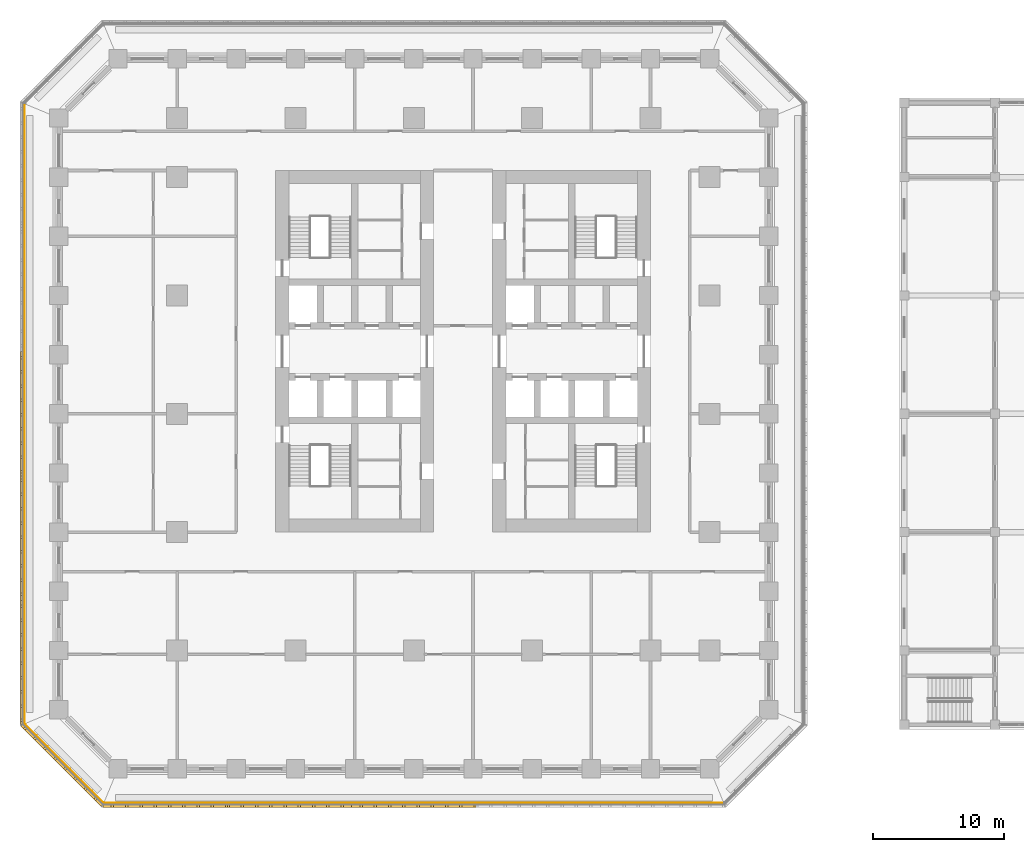
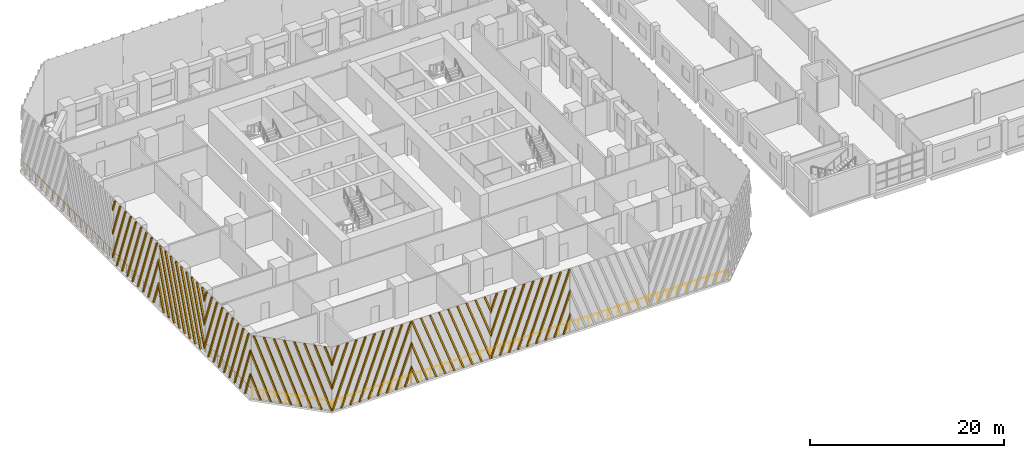
# One storey, part 21 of 31: 7 shading devices, 3 railings.
"""IFC4 building model written with IfcOpenShell, lengths in metres."""

from ifc_helpers import new_model, si_unit, direction, frame, origin, origin_2d, place, context, subcontext, project, spatial, polyline, circle, outline, extrude, source, transform, mapped, material, type_object, element, save


model = new_model("IFC4")

# Units and contexts
model_context = context("Model", 3, precision=1e-05, world=origin(), true_north=direction((0.0, 1.0)))
body_context = subcontext(model_context, "Body", "Model", "MODEL_VIEW")
ifc_project = project(units=[si_unit("LENGTHUNIT", "METRE"), si_unit("AREAUNIT", "SQUARE_METRE"), si_unit("VOLUMEUNIT", "CUBIC_METRE"), si_unit("PLANEANGLEUNIT", "RADIAN"), si_unit("MASSUNIT", "GRAM", prefix="KILO")], contexts=[model_context])

# Site, building, storey
site_placement = place(None, origin())
site = spatial("IfcSite", under=ifc_project, at=site_placement, CompositionType="ELEMENT")
building_placement = place(site_placement, origin())
building = spatial("IfcBuilding", under=site, at=building_placement, Name="Corbel Stack Research Tower", CompositionType="ELEMENT")
storey_placement = place(building_placement, frame((0.0, 0.0, 15.39990234375)))
storey = spatial("IfcBuildingStorey", under=building, at=storey_placement, Name="L03", CompositionType="ELEMENT", Elevation=15.39990234375)

# Railings
ifc_material_1 = material(Name="Powder-coated steel guard", Category="steel")
railing_type = type_object("IfcRailingType", Name="Steel and glass guard 1100", PredefinedType="GUARDRAIL", material=ifc_material_1)
railing_1_placement = place(storey_placement, frame((-23.50537109375, -29.60009765625, 0.0)))
element("IfcRailing", 1, at=railing_1_placement, inside=storey, type_object=railing_type, Name="Loggia guard L03 S", PredefinedType="GUARDRAIL", context=body_context, shape_type="SweptSolid", body=[
    extrude(circle(Radius=0.02392578125, at=origin_2d()), frame((0.0, 0.0, 1.076171875), z_axis=(1.0, 0.0, 0.0), x_axis=(0.0, 1.0, 0.0)), (0.0, 0.0, 1.0), 47.0107421875),
    extrude(circle(Radius=0.02099609375, at=origin_2d()), origin(), (0.0, 0.0, 1.0), 1.052001953125),
    extrude(circle(Radius=0.02099609375, at=origin_2d()), frame((1.17529296875, 0.0, 0.0)), (0.0, 0.0, 1.0), 1.052001953125),
    extrude(circle(Radius=0.02099609375, at=origin_2d()), frame((2.3505859375, 0.0, 0.0)), (0.0, 0.0, 1.0), 1.052001953125),
    extrude(circle(Radius=0.02099609375, at=origin_2d()), frame((3.52587890625, 0.0, 0.0)), (0.0, 0.0, 1.0), 1.052001953125),
    extrude(circle(Radius=0.02099609375, at=origin_2d()), frame((4.701171875, 0.0, 0.0)), (0.0, 0.0, 1.0), 1.052001953125),
    extrude(circle(Radius=0.02099609375, at=origin_2d()), frame((5.87646484375, 0.0, 0.0)), (0.0, 0.0, 1.0), 1.052001953125),
    extrude(circle(Radius=0.02099609375, at=origin_2d()), frame((7.051513671875, 0.0, 0.0)), (0.0, 0.0, 1.0), 1.052001953125),
    extrude(circle(Radius=0.02099609375, at=origin_2d()), frame((8.226806640625, 0.0, 0.0)), (0.0, 0.0, 1.0), 1.052001953125),
    extrude(circle(Radius=0.02099609375, at=origin_2d()), frame((9.402099609375, 0.0, 0.0)), (0.0, 0.0, 1.0), 1.052001953125),
    extrude(circle(Radius=0.02099609375, at=origin_2d()), frame((10.577392578125, 0.0, 0.0)), (0.0, 0.0, 1.0), 1.052001953125),
    extrude(circle(Radius=0.02099609375, at=origin_2d()), frame((11.752685546875, 0.0, 0.0)), (0.0, 0.0, 1.0), 1.052001953125),
    extrude(circle(Radius=0.02099609375, at=origin_2d()), frame((12.927978515625, 0.0, 0.0)), (0.0, 0.0, 1.0), 1.052001953125),
    extrude(circle(Radius=0.02099609375, at=origin_2d()), frame((14.103271484375, 0.0, 0.0)), (0.0, 0.0, 1.0), 1.052001953125),
    extrude(circle(Radius=0.02099609375, at=origin_2d()), frame((15.278564453125, 0.0, 0.0)), (0.0, 0.0, 1.0), 1.052001953125),
    extrude(circle(Radius=0.02099609375, at=origin_2d()), frame((16.453857421875, 0.0, 0.0)), (0.0, 0.0, 1.0), 1.052001953125),
    extrude(circle(Radius=0.02099609375, at=origin_2d()), frame((17.62890625, 0.0, 0.0)), (0.0, 0.0, 1.0), 1.052001953125),
    extrude(circle(Radius=0.02099609375, at=origin_2d()), frame((18.80419921875, 0.0, 0.0)), (0.0, 0.0, 1.0), 1.052001953125),
    extrude(circle(Radius=0.02099609375, at=origin_2d()), frame((19.9794921875, 0.0, 0.0)), (0.0, 0.0, 1.0), 1.052001953125),
    extrude(circle(Radius=0.02099609375, at=origin_2d()), frame((21.15478515625, 0.0, 0.0)), (0.0, 0.0, 1.0), 1.052001953125),
    extrude(circle(Radius=0.02099609375, at=origin_2d()), frame((22.330078125, 0.0, 0.0)), (0.0, 0.0, 1.0), 1.052001953125),
    extrude(circle(Radius=0.02099609375, at=origin_2d()), frame((23.50537109375, 0.0, 0.0)), (0.0, 0.0, 1.0), 1.052001953125),
    extrude(circle(Radius=0.02099609375, at=origin_2d()), frame((24.6806640625, 0.0, 0.0)), (0.0, 0.0, 1.0), 1.052001953125),
    extrude(circle(Radius=0.02099609375, at=origin_2d()), frame((25.85595703125, 0.0, 0.0)), (0.0, 0.0, 1.0), 1.052001953125),
    extrude(circle(Radius=0.02099609375, at=origin_2d()), frame((27.03125, 0.0, 0.0)), (0.0, 0.0, 1.0), 1.052001953125),
    extrude(circle(Radius=0.02099609375, at=origin_2d()), frame((28.20654296875, 0.0, 0.0)), (0.0, 0.0, 1.0), 1.052001953125),
    extrude(circle(Radius=0.02099609375, at=origin_2d()), frame((29.3818359375, 0.0, 0.0)), (0.0, 0.0, 1.0), 1.052001953125),
    extrude(circle(Radius=0.02099609375, at=origin_2d()), frame((30.556884765625, 0.0, 0.0)), (0.0, 0.0, 1.0), 1.052001953125),
    extrude(circle(Radius=0.02099609375, at=origin_2d()), frame((31.732177734375, 0.0, 0.0)), (0.0, 0.0, 1.0), 1.052001953125),
    extrude(circle(Radius=0.02099609375, at=origin_2d()), frame((32.907470703125, 0.0, 0.0)), (0.0, 0.0, 1.0), 1.052001953125),
    extrude(circle(Radius=0.02099609375, at=origin_2d()), frame((34.082763671875, 0.0, 0.0)), (0.0, 0.0, 1.0), 1.052001953125),
    extrude(circle(Radius=0.02099609375, at=origin_2d()), frame((35.258056640625, 0.0, 0.0)), (0.0, 0.0, 1.0), 1.052001953125),
    extrude(circle(Radius=0.02099609375, at=origin_2d()), frame((36.433349609375, 0.0, 0.0)), (0.0, 0.0, 1.0), 1.052001953125),
    extrude(circle(Radius=0.02099609375, at=origin_2d()), frame((37.608642578125, 0.0, 0.0)), (0.0, 0.0, 1.0), 1.052001953125),
    extrude(circle(Radius=0.02099609375, at=origin_2d()), frame((38.783935546875, 0.0, 0.0)), (0.0, 0.0, 1.0), 1.052001953125),
    extrude(circle(Radius=0.02099609375, at=origin_2d()), frame((39.959228515625, 0.0, 0.0)), (0.0, 0.0, 1.0), 1.052001953125),
    extrude(circle(Radius=0.02099609375, at=origin_2d()), frame((41.13427734375, 0.0, 0.0)), (0.0, 0.0, 1.0), 1.052001953125),
    extrude(circle(Radius=0.02099609375, at=origin_2d()), frame((42.3095703125, 0.0, 0.0)), (0.0, 0.0, 1.0), 1.052001953125),
    extrude(circle(Radius=0.02099609375, at=origin_2d()), frame((43.48486328125, 0.0, 0.0)), (0.0, 0.0, 1.0), 1.052001953125),
    extrude(circle(Radius=0.02099609375, at=origin_2d()), frame((44.66015625, 0.0, 0.0)), (0.0, 0.0, 1.0), 1.052001953125),
    extrude(circle(Radius=0.02099609375, at=origin_2d()), frame((45.83544921875, 0.0, 0.0)), (0.0, 0.0, 1.0), 1.052001953125),
    extrude(circle(Radius=0.02099609375, at=origin_2d()), frame((47.0107421875, 0.0, 0.0)), (0.0, 0.0, 1.0), 1.052001953125),
])
railing_2_placement = place(storey_placement, frame((-29.60009765625, 23.50537109375, 0.0)))
element("IfcRailing", 2, at=railing_2_placement, inside=storey, type_object=railing_type, Name="Loggia guard L03 W", PredefinedType="GUARDRAIL", context=body_context, shape_type="SweptSolid", body=[
    extrude(circle(Radius=0.02392578125, at=origin_2d()), frame((0.0, 0.0, 1.076171875), z_axis=(0.0, -1.0, 0.0), x_axis=(1.0, 0.0, 0.0)), (0.0, 0.0, 1.0), 47.0107421875),
    extrude(circle(Radius=0.02099609375, at=origin_2d()), origin(), (0.0, 0.0, 1.0), 1.052001953125),
    extrude(circle(Radius=0.02099609375, at=origin_2d()), frame((0.0, -1.17529296875, 0.0)), (0.0, 0.0, 1.0), 1.052001953125),
    extrude(circle(Radius=0.02099609375, at=origin_2d()), frame((0.0, -2.3505859375, 0.0)), (0.0, 0.0, 1.0), 1.052001953125),
    extrude(circle(Radius=0.02099609375, at=origin_2d()), frame((0.0, -3.52587890625, 0.0)), (0.0, 0.0, 1.0), 1.052001953125),
    extrude(circle(Radius=0.02099609375, at=origin_2d()), frame((0.0, -4.701171875, 0.0)), (0.0, 0.0, 1.0), 1.052001953125),
    extrude(circle(Radius=0.02099609375, at=origin_2d()), frame((0.0, -5.87646484375, 0.0)), (0.0, 0.0, 1.0), 1.052001953125),
    extrude(circle(Radius=0.02099609375, at=origin_2d()), frame((0.0, -7.051513671875, 0.0)), (0.0, 0.0, 1.0), 1.052001953125),
    extrude(circle(Radius=0.02099609375, at=origin_2d()), frame((0.0, -8.226806640625, 0.0)), (0.0, 0.0, 1.0), 1.052001953125),
    extrude(circle(Radius=0.02099609375, at=origin_2d()), frame((0.0, -9.402099609375, 0.0)), (0.0, 0.0, 1.0), 1.052001953125),
    extrude(circle(Radius=0.02099609375, at=origin_2d()), frame((0.0, -10.577392578125, 0.0)), (0.0, 0.0, 1.0), 1.052001953125),
    extrude(circle(Radius=0.02099609375, at=origin_2d()), frame((0.0, -11.752685546875, 0.0)), (0.0, 0.0, 1.0), 1.052001953125),
    extrude(circle(Radius=0.02099609375, at=origin_2d()), frame((0.0, -12.927978515625, 0.0)), (0.0, 0.0, 1.0), 1.052001953125),
    extrude(circle(Radius=0.02099609375, at=origin_2d()), frame((0.0, -14.103271484375, 0.0)), (0.0, 0.0, 1.0), 1.052001953125),
    extrude(circle(Radius=0.02099609375, at=origin_2d()), frame((0.0, -15.278564453125, 0.0)), (0.0, 0.0, 1.0), 1.052001953125),
    extrude(circle(Radius=0.02099609375, at=origin_2d()), frame((0.0, -16.453857421875, 0.0)), (0.0, 0.0, 1.0), 1.052001953125),
    extrude(circle(Radius=0.02099609375, at=origin_2d()), frame((0.0, -17.62890625, 0.0)), (0.0, 0.0, 1.0), 1.052001953125),
    extrude(circle(Radius=0.02099609375, at=origin_2d()), frame((0.0, -18.80419921875, 0.0)), (0.0, 0.0, 1.0), 1.052001953125),
    extrude(circle(Radius=0.02099609375, at=origin_2d()), frame((0.0, -19.9794921875, 0.0)), (0.0, 0.0, 1.0), 1.052001953125),
    extrude(circle(Radius=0.02099609375, at=origin_2d()), frame((0.0, -21.15478515625, 0.0)), (0.0, 0.0, 1.0), 1.052001953125),
    extrude(circle(Radius=0.02099609375, at=origin_2d()), frame((0.0, -22.330078125, 0.0)), (0.0, 0.0, 1.0), 1.052001953125),
    extrude(circle(Radius=0.02099609375, at=origin_2d()), frame((0.0, -23.50537109375, 0.0)), (0.0, 0.0, 1.0), 1.052001953125),
    extrude(circle(Radius=0.02099609375, at=origin_2d()), frame((0.0, -24.6806640625, 0.0)), (0.0, 0.0, 1.0), 1.052001953125),
    extrude(circle(Radius=0.02099609375, at=origin_2d()), frame((0.0, -25.85595703125, 0.0)), (0.0, 0.0, 1.0), 1.052001953125),
    extrude(circle(Radius=0.02099609375, at=origin_2d()), frame((0.0, -27.03125, 0.0)), (0.0, 0.0, 1.0), 1.052001953125),
    extrude(circle(Radius=0.02099609375, at=origin_2d()), frame((0.0, -28.20654296875, 0.0)), (0.0, 0.0, 1.0), 1.052001953125),
    extrude(circle(Radius=0.02099609375, at=origin_2d()), frame((0.0, -29.3818359375, 0.0)), (0.0, 0.0, 1.0), 1.052001953125),
    extrude(circle(Radius=0.02099609375, at=origin_2d()), frame((0.0, -30.556884765625, 0.0)), (0.0, 0.0, 1.0), 1.052001953125),
    extrude(circle(Radius=0.02099609375, at=origin_2d()), frame((0.0, -31.732177734375, 0.0)), (0.0, 0.0, 1.0), 1.052001953125),
    extrude(circle(Radius=0.02099609375, at=origin_2d()), frame((0.0, -32.907470703125, 0.0)), (0.0, 0.0, 1.0), 1.052001953125),
    extrude(circle(Radius=0.02099609375, at=origin_2d()), frame((0.0, -34.082763671875, 0.0)), (0.0, 0.0, 1.0), 1.052001953125),
    extrude(circle(Radius=0.02099609375, at=origin_2d()), frame((0.0, -35.258056640625, 0.0)), (0.0, 0.0, 1.0), 1.052001953125),
    extrude(circle(Radius=0.02099609375, at=origin_2d()), frame((0.0, -36.433349609375, 0.0)), (0.0, 0.0, 1.0), 1.052001953125),
    extrude(circle(Radius=0.02099609375, at=origin_2d()), frame((0.0, -37.608642578125, 0.0)), (0.0, 0.0, 1.0), 1.052001953125),
    extrude(circle(Radius=0.02099609375, at=origin_2d()), frame((0.0, -38.783935546875, 0.0)), (0.0, 0.0, 1.0), 1.052001953125),
    extrude(circle(Radius=0.02099609375, at=origin_2d()), frame((0.0, -39.959228515625, 0.0)), (0.0, 0.0, 1.0), 1.052001953125),
    extrude(circle(Radius=0.02099609375, at=origin_2d()), frame((0.0, -41.13427734375, 0.0)), (0.0, 0.0, 1.0), 1.052001953125),
    extrude(circle(Radius=0.02099609375, at=origin_2d()), frame((0.0, -42.3095703125, 0.0)), (0.0, 0.0, 1.0), 1.052001953125),
    extrude(circle(Radius=0.02099609375, at=origin_2d()), frame((0.0, -43.48486328125, 0.0)), (0.0, 0.0, 1.0), 1.052001953125),
    extrude(circle(Radius=0.02099609375, at=origin_2d()), frame((0.0, -44.66015625, 0.0)), (0.0, 0.0, 1.0), 1.052001953125),
    extrude(circle(Radius=0.02099609375, at=origin_2d()), frame((0.0, -45.83544921875, 0.0)), (0.0, 0.0, 1.0), 1.052001953125),
    extrude(circle(Radius=0.02099609375, at=origin_2d()), frame((0.0, -47.0107421875, 0.0)), (0.0, 0.0, 1.0), 1.052001953125),
])
railing_3_placement = place(storey_placement, frame((-29.54931640625, -23.627685546875, 0.0)))
element("IfcRailing", 3, at=railing_3_placement, inside=storey, type_object=railing_type, Name="Loggia guard L03 SW", PredefinedType="GUARDRAIL", context=body_context, shape_type="SweptSolid", body=[
    extrude(circle(Radius=0.02392578125, at=origin_2d()), frame((0.0, 0.0, 1.076171875), z_axis=(0.707106781187, -0.707106781187, 0.0), x_axis=(0.707106781187, 0.707106781187, 0.0)), (0.0, 0.0, 1.0), 8.37451171875),
    extrude(circle(Radius=0.02099609375, at=origin_2d()), origin(), (0.0, 0.0, 1.0), 1.052001953125),
    extrude(circle(Radius=0.02099609375, at=origin_2d()), frame((0.845947265625, -0.845947265625, 0.0)), (0.0, 0.0, 1.0), 1.052001953125),
    extrude(circle(Radius=0.02099609375, at=origin_2d()), frame((1.69189453125, -1.69189453125, 0.0)), (0.0, 0.0, 1.0), 1.052001953125),
    extrude(circle(Radius=0.02099609375, at=origin_2d()), frame((2.537841796875, -2.537841796875, 0.0)), (0.0, 0.0, 1.0), 1.052001953125),
    extrude(circle(Radius=0.02099609375, at=origin_2d()), frame((3.3837890625, -3.3837890625, 0.0)), (0.0, 0.0, 1.0), 1.052001953125),
    extrude(circle(Radius=0.02099609375, at=origin_2d()), frame((4.229736328125, -4.229736328125, 0.0)), (0.0, 0.0, 1.0), 1.052001953125),
    extrude(circle(Radius=0.02099609375, at=origin_2d()), frame((5.07568359375, -5.07568359375, 0.0)), (0.0, 0.0, 1.0), 1.052001953125),
    extrude(circle(Radius=0.02099609375, at=origin_2d()), frame((5.921630859375, -5.921630859375, 0.0)), (0.0, 0.0, 1.0), 1.052001953125),
])

# Shading devices
ifc_material_2 = material(Name="Precast terracotta", Category="masonry")
shading_device_type = type_object("IfcShadingDeviceType", Name="Terracotta screen panel", PredefinedType="USERDEFINED", material=ifc_material_2)
shared_shape_1 = source(origin(), body_context, "Body", "SweptSolid", [
    extrude(outline(polyline([(0.819091796875, 7.949951171875), (0.629150390625, 7.949951171875), (0.0, 6.22119140625), (0.0, 5.69921875), (0.819091796875, 7.949951171875)])), frame((0.0, 0.0, 0.0), z_axis=(0.0, -1.0, 0.0), x_axis=(1.0, 0.0, 0.0)), (0.0, 0.0, 1.0), 0.179931640625),
    extrude(outline(polyline([(1.90380859375, 7.949951171875), (1.7138671875, 7.949951171875), (0.0, 3.2412109375), (0.0, 2.718994140625), (1.90380859375, 7.949951171875)])), frame((0.0, 0.0, 0.0), z_axis=(0.0, -1.0, 0.0), x_axis=(1.0, 0.0, 0.0)), (0.0, 0.0, 1.0), 0.179931640625),
    extrude(outline(polyline([(0.094970703125, 0.0), (2.988525390625, 7.949951171875), (2.798583984375, 7.949951171875), (0.0, 0.260986328125), (0.0, 0.0), (0.094970703125, 0.0)])), frame((0.0, 0.0, 0.0), z_axis=(0.0, -1.0, 0.0), x_axis=(1.0, 0.0, 0.0)), (0.0, 0.0, 1.0), 0.179931640625),
    extrude(outline(polyline([(1.1796875, 0.0), (4.0732421875, 7.949951171875), (3.88330078125, 7.949951171875), (0.98974609375, 0.0), (1.1796875, 0.0)])), frame((0.0, 0.0, 0.0), z_axis=(0.0, -1.0, 0.0), x_axis=(1.0, 0.0, 0.0)), (0.0, 0.0, 1.0), 0.179931640625),
    extrude(outline(polyline([(2.264404296875, 0.0), (5.157958984375, 7.949951171875), (4.968017578125, 7.949951171875), (2.07421875, 0.0), (2.264404296875, 0.0)])), frame((0.0, 0.0, 0.0), z_axis=(0.0, -1.0, 0.0), x_axis=(1.0, 0.0, 0.0)), (0.0, 0.0, 1.0), 0.179931640625),
    extrude(outline(polyline([(3.34912109375, 0.0), (6.24267578125, 7.949951171875), (6.052490234375, 7.949951171875), (3.158935546875, 0.0), (3.34912109375, 0.0)])), frame((0.0, 0.0, 0.0), z_axis=(0.0, -1.0, 0.0), x_axis=(1.0, 0.0, 0.0)), (0.0, 0.0, 1.0), 0.179931640625),
    extrude(outline(polyline([(4.43359375, 0.0), (7.3271484375, 7.949951171875), (7.13720703125, 7.949951171875), (4.24365234375, 0.0), (4.43359375, 0.0)])), frame((0.0, 0.0, 0.0), z_axis=(0.0, -1.0, 0.0), x_axis=(1.0, 0.0, 0.0)), (0.0, 0.0, 1.0), 0.179931640625),
    extrude(outline(polyline([(5.518310546875, 0.0), (8.411865234375, 7.949951171875), (8.221923828125, 7.949951171875), (5.328369140625, 0.0), (5.518310546875, 0.0)])), frame((0.0, 0.0, 0.0), z_axis=(0.0, -1.0, 0.0), x_axis=(1.0, 0.0, 0.0)), (0.0, 0.0, 1.0), 0.179931640625),
    extrude(outline(polyline([(6.60302734375, 0.0), (9.45556640625, 7.837646484375), (9.45556640625, 7.949951171875), (9.306640625, 7.949951171875), (6.4130859375, 0.0), (6.60302734375, 0.0)])), frame((0.0, 0.0, 0.0), z_axis=(0.0, -1.0, 0.0), x_axis=(1.0, 0.0, 0.0)), (0.0, 0.0, 1.0), 0.179931640625),
    extrude(outline(polyline([(7.687744140625, 0.0), (9.45556640625, 4.857421875), (9.45556640625, 5.37939453125), (7.497802734375, 0.0), (7.687744140625, 0.0)])), frame((0.0, 0.0, 0.0), z_axis=(0.0, -1.0, 0.0), x_axis=(1.0, 0.0, 0.0)), (0.0, 0.0, 1.0), 0.179931640625),
    extrude(outline(polyline([(8.772216796875, 0.0), (9.45556640625, 1.87744140625), (9.45556640625, 2.3994140625), (8.582275390625, 0.0), (8.772216796875, 0.0)])), frame((0.0, 0.0, 0.0), z_axis=(0.0, -1.0, 0.0), x_axis=(1.0, 0.0, 0.0)), (0.0, 0.0, 1.0), 0.179931640625),
])
for number, where, z_axis, x_axis, name in (
    (4, (-23.63916015625, -29.75, 0.0), (0.0, 0.0, 1.0), (1.0, 0.0, 0.0), "Terracotta screen L03 S1"),
    (5, (-4.727783203125, -29.75, 0.0), (0.0, 0.0, 1.0), (1.0, 0.0, 0.0), "Terracotta screen L03 S3"),
):
    element("IfcShadingDevice", number, at=place(storey_placement, frame(where, z_axis=z_axis, x_axis=x_axis)), inside=storey, type_object=shading_device_type, Name=name, ObjectType="SCREEN", PredefinedType="USERDEFINED", context=body_context, shape_type="MappedRepresentation", body=[
        mapped(shared_shape_1, transform((0.0, 0.0, 0.0))),
    ])
shared_shape_2 = source(origin(), body_context, "Body", "SweptSolid", [
    extrude(outline(polyline([(0.873291015625, 0.0), (0.0, 2.3994140625), (0.0, 1.87744140625), (0.683349609375, 0.0), (0.873291015625, 0.0)])), frame((0.0, 0.0, 0.0), z_axis=(0.0, -1.0, 0.0), x_axis=(1.0, 0.0, 0.0)), (0.0, 0.0, 1.0), 0.179931640625),
    extrude(outline(polyline([(1.9580078125, 0.0), (0.0, 5.37939453125), (0.0, 4.857421875), (1.76806640625, 0.0), (1.9580078125, 0.0)])), frame((0.0, 0.0, 0.0), z_axis=(0.0, -1.0, 0.0), x_axis=(1.0, 0.0, 0.0)), (0.0, 0.0, 1.0), 0.179931640625),
    extrude(outline(polyline([(3.04248046875, 0.0), (0.149169921875, 7.949951171875), (0.0, 7.949951171875), (0.0, 7.837646484375), (2.8525390625, 0.0), (3.04248046875, 0.0)])), frame((0.0, 0.0, 0.0), z_axis=(0.0, -1.0, 0.0), x_axis=(1.0, 0.0, 0.0)), (0.0, 0.0, 1.0), 0.179931640625),
    extrude(outline(polyline([(4.127197265625, 0.0), (1.233642578125, 7.949951171875), (1.043701171875, 7.949951171875), (3.937255859375, 0.0), (4.127197265625, 0.0)])), frame((0.0, 0.0, 0.0), z_axis=(0.0, -1.0, 0.0), x_axis=(1.0, 0.0, 0.0)), (0.0, 0.0, 1.0), 0.179931640625),
    extrude(outline(polyline([(5.2119140625, 0.0), (2.318359375, 7.949951171875), (2.12841796875, 7.949951171875), (5.02197265625, 0.0), (5.2119140625, 0.0)])), frame((0.0, 0.0, 0.0), z_axis=(0.0, -1.0, 0.0), x_axis=(1.0, 0.0, 0.0)), (0.0, 0.0, 1.0), 0.179931640625),
    extrude(outline(polyline([(6.296630859375, 0.0), (3.403076171875, 7.949951171875), (3.213134765625, 7.949951171875), (6.106689453125, 0.0), (6.296630859375, 0.0)])), frame((0.0, 0.0, 0.0), z_axis=(0.0, -1.0, 0.0), x_axis=(1.0, 0.0, 0.0)), (0.0, 0.0, 1.0), 0.179931640625),
    extrude(outline(polyline([(7.38134765625, 0.0), (4.48779296875, 7.949951171875), (4.297607421875, 7.949951171875), (7.19140625, 0.0), (7.38134765625, 0.0)])), frame((0.0, 0.0, 0.0), z_axis=(0.0, -1.0, 0.0), x_axis=(1.0, 0.0, 0.0)), (0.0, 0.0, 1.0), 0.179931640625),
    extrude(outline(polyline([(8.466064453125, 0.0), (5.572509765625, 7.949951171875), (5.38232421875, 7.949951171875), (8.27587890625, 0.0), (8.466064453125, 0.0)])), frame((0.0, 0.0, 0.0), z_axis=(0.0, -1.0, 0.0), x_axis=(1.0, 0.0, 0.0)), (0.0, 0.0, 1.0), 0.179931640625),
    extrude(outline(polyline([(9.45556640625, 0.0), (9.45556640625, 0.260986328125), (6.656982421875, 7.949951171875), (6.467041015625, 7.949951171875), (9.360595703125, 0.0), (9.45556640625, 0.0)])), frame((0.0, 0.0, 0.0), z_axis=(0.0, -1.0, 0.0), x_axis=(1.0, 0.0, 0.0)), (0.0, 0.0, 1.0), 0.179931640625),
    extrude(outline(polyline([(7.74169921875, 7.949951171875), (7.5517578125, 7.949951171875), (9.45556640625, 2.718994140625), (9.45556640625, 3.2412109375), (7.74169921875, 7.949951171875)])), frame((0.0, 0.0, 0.0), z_axis=(0.0, -1.0, 0.0), x_axis=(1.0, 0.0, 0.0)), (0.0, 0.0, 1.0), 0.179931640625),
    extrude(outline(polyline([(8.826416015625, 7.949951171875), (8.636474609375, 7.949951171875), (9.45556640625, 5.69921875), (9.45556640625, 6.22119140625), (8.826416015625, 7.949951171875)])), frame((0.0, 0.0, 0.0), z_axis=(0.0, -1.0, 0.0), x_axis=(1.0, 0.0, 0.0)), (0.0, 0.0, 1.0), 0.179931640625),
])
shading_device_1_placement = place(storey_placement, frame((-14.18359375, -29.75, 0.0), z_axis=(0.0, 0.0, 1.0), x_axis=(1.0, 0.0, 0.0)))
element("IfcShadingDevice", 6, at=shading_device_1_placement, inside=storey, type_object=shading_device_type, Name="Terracotta screen L03 S2", ObjectType="SCREEN", PredefinedType="USERDEFINED", context=body_context, shape_type="MappedRepresentation", body=[
    mapped(shared_shape_2, transform((0.0, 0.0, 0.0))),
])
shared_shape_3 = source(origin(), body_context, "Body", "SweptSolid", [
    extrude(outline(polyline([(0.548095703125, 7.949951171875), (0.358154296875, 7.949951171875), (0.0, 6.96630859375), (0.0, 6.444091796875), (0.548095703125, 7.949951171875)])), frame((0.0, 0.0, 0.0), z_axis=(0.0, -1.0, 0.0), x_axis=(1.0, 0.0, 0.0)), (0.0, 0.0, 1.0), 0.179931640625),
    extrude(outline(polyline([(1.6328125, 7.949951171875), (1.442626953125, 7.949951171875), (0.0, 3.986083984375), (0.0, 3.464111328125), (1.6328125, 7.949951171875)])), frame((0.0, 0.0, 0.0), z_axis=(0.0, -1.0, 0.0), x_axis=(1.0, 0.0, 0.0)), (0.0, 0.0, 1.0), 0.179931640625),
    extrude(outline(polyline([(2.71728515625, 7.949951171875), (2.52734375, 7.949951171875), (0.0, 1.006103515625), (0.0, 0.48388671875), (2.71728515625, 7.949951171875)])), frame((0.0, 0.0, 0.0), z_axis=(0.0, -1.0, 0.0), x_axis=(1.0, 0.0, 0.0)), (0.0, 0.0, 1.0), 0.179931640625),
    extrude(outline(polyline([(0.908447265625, 0.0), (3.802001953125, 7.949951171875), (3.612060546875, 7.949951171875), (0.718505859375, 0.0), (0.908447265625, 0.0)])), frame((0.0, 0.0, 0.0), z_axis=(0.0, -1.0, 0.0), x_axis=(1.0, 0.0, 0.0)), (0.0, 0.0, 1.0), 0.179931640625),
    extrude(outline(polyline([(1.9931640625, 0.0), (4.88671875, 7.949951171875), (4.69677734375, 7.949951171875), (1.80322265625, 0.0), (1.9931640625, 0.0)])), frame((0.0, 0.0, 0.0), z_axis=(0.0, -1.0, 0.0), x_axis=(1.0, 0.0, 0.0)), (0.0, 0.0, 1.0), 0.179931640625),
    extrude(outline(polyline([(3.077880859375, 0.0), (5.971435546875, 7.949951171875), (5.781494140625, 7.949951171875), (2.8876953125, 0.0), (3.077880859375, 0.0)])), frame((0.0, 0.0, 0.0), z_axis=(0.0, -1.0, 0.0), x_axis=(1.0, 0.0, 0.0)), (0.0, 0.0, 1.0), 0.179931640625),
    extrude(outline(polyline([(4.16259765625, 0.0), (7.05615234375, 7.949951171875), (6.8662109375, 7.949951171875), (3.972412109375, 0.0), (4.16259765625, 0.0)])), frame((0.0, 0.0, 0.0), z_axis=(0.0, -1.0, 0.0), x_axis=(1.0, 0.0, 0.0)), (0.0, 0.0, 1.0), 0.179931640625),
    extrude(outline(polyline([(5.247314453125, 0.0), (8.140625, 7.949951171875), (7.95068359375, 7.949951171875), (5.05712890625, 0.0), (5.247314453125, 0.0)])), frame((0.0, 0.0, 0.0), z_axis=(0.0, -1.0, 0.0), x_axis=(1.0, 0.0, 0.0)), (0.0, 0.0, 1.0), 0.179931640625),
    extrude(outline(polyline([(6.331787109375, 0.0), (9.225341796875, 7.949951171875), (9.035400390625, 7.949951171875), (6.141845703125, 0.0), (6.331787109375, 0.0)])), frame((0.0, 0.0, 0.0), z_axis=(0.0, -1.0, 0.0), x_axis=(1.0, 0.0, 0.0)), (0.0, 0.0, 1.0), 0.179931640625),
    extrude(outline(polyline([(7.41650390625, 0.0), (9.45556640625, 5.6025390625), (9.45556640625, 6.12451171875), (7.2265625, 0.0), (7.41650390625, 0.0)])), frame((0.0, 0.0, 0.0), z_axis=(0.0, -1.0, 0.0), x_axis=(1.0, 0.0, 0.0)), (0.0, 0.0, 1.0), 0.179931640625),
    extrude(outline(polyline([(8.501220703125, 0.0), (9.45556640625, 2.622314453125), (9.45556640625, 3.144287109375), (8.311279296875, 0.0), (8.501220703125, 0.0)])), frame((0.0, 0.0, 0.0), z_axis=(0.0, -1.0, 0.0), x_axis=(1.0, 0.0, 0.0)), (0.0, 0.0, 1.0), 0.179931640625),
])
for number, where, z_axis, x_axis, name in (
    (7, (-29.75, 4.727783203125, 0.0), (0.0, 0.0, 1.0), (0.0, -1.0, 0.0), "Terracotta screen L03 W3"),
    (8, (-29.75, -14.18359375, 0.0), (0.0, 0.0, 1.0), (0.0, -1.0, 0.0), "Terracotta screen L03 W5"),
):
    element("IfcShadingDevice", number, at=place(storey_placement, frame(where, z_axis=z_axis, x_axis=x_axis)), inside=storey, type_object=shading_device_type, Name=name, ObjectType="SCREEN", PredefinedType="USERDEFINED", context=body_context, shape_type="MappedRepresentation", body=[
        mapped(shared_shape_3, transform((0.0, 0.0, 0.0))),
    ])
shared_shape_4 = source(origin(), body_context, "Body", "SweptSolid", [
    extrude(outline(polyline([(1.14453125, 0.0), (0.0, 3.144287109375), (0.0, 2.622314453125), (0.95458984375, 0.0), (1.14453125, 0.0)])), frame((0.0, 0.0, 0.0), z_axis=(0.0, -1.0, 0.0), x_axis=(1.0, 0.0, 0.0)), (0.0, 0.0, 1.0), 0.179931640625),
    extrude(outline(polyline([(2.22900390625, 0.0), (0.0, 6.12451171875), (0.0, 5.6025390625), (2.0390625, 0.0), (2.22900390625, 0.0)])), frame((0.0, 0.0, 0.0), z_axis=(0.0, -1.0, 0.0), x_axis=(1.0, 0.0, 0.0)), (0.0, 0.0, 1.0), 0.179931640625),
    extrude(outline(polyline([(3.313720703125, 0.0), (0.420166015625, 7.949951171875), (0.230224609375, 7.949951171875), (3.123779296875, 0.0), (3.313720703125, 0.0)])), frame((0.0, 0.0, 0.0), z_axis=(0.0, -1.0, 0.0), x_axis=(1.0, 0.0, 0.0)), (0.0, 0.0, 1.0), 0.179931640625),
    extrude(outline(polyline([(4.3984375, 0.0), (1.5048828125, 7.949951171875), (1.31494140625, 7.949951171875), (4.20849609375, 0.0), (4.3984375, 0.0)])), frame((0.0, 0.0, 0.0), z_axis=(0.0, -1.0, 0.0), x_axis=(1.0, 0.0, 0.0)), (0.0, 0.0, 1.0), 0.179931640625),
    extrude(outline(polyline([(5.483154296875, 0.0), (2.589599609375, 7.949951171875), (2.399658203125, 7.949951171875), (5.293212890625, 0.0), (5.483154296875, 0.0)])), frame((0.0, 0.0, 0.0), z_axis=(0.0, -1.0, 0.0), x_axis=(1.0, 0.0, 0.0)), (0.0, 0.0, 1.0), 0.179931640625),
    extrude(outline(polyline([(6.56787109375, 0.0), (3.67431640625, 7.949951171875), (3.484130859375, 7.949951171875), (6.377685546875, 0.0), (6.56787109375, 0.0)])), frame((0.0, 0.0, 0.0), z_axis=(0.0, -1.0, 0.0), x_axis=(1.0, 0.0, 0.0)), (0.0, 0.0, 1.0), 0.179931640625),
    extrude(outline(polyline([(7.652587890625, 0.0), (4.7587890625, 7.949951171875), (4.56884765625, 7.949951171875), (7.46240234375, 0.0), (7.652587890625, 0.0)])), frame((0.0, 0.0, 0.0), z_axis=(0.0, -1.0, 0.0), x_axis=(1.0, 0.0, 0.0)), (0.0, 0.0, 1.0), 0.179931640625),
    extrude(outline(polyline([(8.737060546875, 0.0), (5.843505859375, 7.949951171875), (5.653564453125, 7.949951171875), (8.547119140625, 0.0), (8.737060546875, 0.0)])), frame((0.0, 0.0, 0.0), z_axis=(0.0, -1.0, 0.0), x_axis=(1.0, 0.0, 0.0)), (0.0, 0.0, 1.0), 0.179931640625),
    extrude(outline(polyline([(6.92822265625, 7.949951171875), (6.73828125, 7.949951171875), (9.45556640625, 0.48388671875), (9.45556640625, 1.006103515625), (6.92822265625, 7.949951171875)])), frame((0.0, 0.0, 0.0), z_axis=(0.0, -1.0, 0.0), x_axis=(1.0, 0.0, 0.0)), (0.0, 0.0, 1.0), 0.179931640625),
    extrude(outline(polyline([(8.012939453125, 7.949951171875), (7.822998046875, 7.949951171875), (9.45556640625, 3.464111328125), (9.45556640625, 3.986083984375), (8.012939453125, 7.949951171875)])), frame((0.0, 0.0, 0.0), z_axis=(0.0, -1.0, 0.0), x_axis=(1.0, 0.0, 0.0)), (0.0, 0.0, 1.0), 0.179931640625),
    extrude(outline(polyline([(9.09765625, 7.949951171875), (8.90771484375, 7.949951171875), (9.45556640625, 6.444091796875), (9.45556640625, 6.96630859375), (9.09765625, 7.949951171875)])), frame((0.0, 0.0, 0.0), z_axis=(0.0, -1.0, 0.0), x_axis=(1.0, 0.0, 0.0)), (0.0, 0.0, 1.0), 0.179931640625),
])
shading_device_2_placement = place(storey_placement, frame((-29.75, -4.727783203125, 0.0), z_axis=(0.0, 0.0, 1.0), x_axis=(0.0, -1.0, 0.0)))
element("IfcShadingDevice", 9, at=shading_device_2_placement, inside=storey, type_object=shading_device_type, Name="Terracotta screen L03 W4", ObjectType="SCREEN", PredefinedType="USERDEFINED", context=body_context, shape_type="MappedRepresentation", body=[
    mapped(shared_shape_4, transform((0.0, 0.0, 0.0))),
])
shared_shape_5 = source(origin(), body_context, "Body", "SweptSolid", [
    extrude(outline(polyline([(1.14453125, 0.0), (0.0, 3.144287109375), (0.0, 2.622314453125), (0.95458984375, 0.0), (1.14453125, 0.0)])), frame((0.0, 0.0, 0.0), z_axis=(0.0, -1.0, 0.0), x_axis=(1.0, 0.0, 0.0)), (0.0, 0.0, 1.0), 0.179931640625),
    extrude(outline(polyline([(2.22900390625, 0.0), (0.0, 6.12451171875), (0.0, 5.6025390625), (2.0390625, 0.0), (2.22900390625, 0.0)])), frame((0.0, 0.0, 0.0), z_axis=(0.0, -1.0, 0.0), x_axis=(1.0, 0.0, 0.0)), (0.0, 0.0, 1.0), 0.179931640625),
    extrude(outline(polyline([(3.313720703125, 0.0), (0.420166015625, 7.949951171875), (0.230224609375, 7.949951171875), (3.123779296875, 0.0), (3.313720703125, 0.0)])), frame((0.0, 0.0, 0.0), z_axis=(0.0, -1.0, 0.0), x_axis=(1.0, 0.0, 0.0)), (0.0, 0.0, 1.0), 0.179931640625),
    extrude(outline(polyline([(4.3984375, 0.0), (1.5048828125, 7.949951171875), (1.31494140625, 7.949951171875), (4.20849609375, 0.0), (4.3984375, 0.0)])), frame((0.0, 0.0, 0.0), z_axis=(0.0, -1.0, 0.0), x_axis=(1.0, 0.0, 0.0)), (0.0, 0.0, 1.0), 0.179931640625),
    extrude(outline(polyline([(5.483154296875, 0.0), (2.589599609375, 7.949951171875), (2.399658203125, 7.949951171875), (5.293212890625, 0.0), (5.483154296875, 0.0)])), frame((0.0, 0.0, 0.0), z_axis=(0.0, -1.0, 0.0), x_axis=(1.0, 0.0, 0.0)), (0.0, 0.0, 1.0), 0.179931640625),
    extrude(outline(polyline([(6.56787109375, 0.0), (3.67431640625, 7.949951171875), (3.484130859375, 7.949951171875), (6.377685546875, 0.0), (6.56787109375, 0.0)])), frame((0.0, 0.0, 0.0), z_axis=(0.0, -1.0, 0.0), x_axis=(1.0, 0.0, 0.0)), (0.0, 0.0, 1.0), 0.179931640625),
    extrude(outline(polyline([(7.652587890625, 0.0), (4.7587890625, 7.949951171875), (4.56884765625, 7.949951171875), (7.46240234375, 0.0), (7.652587890625, 0.0)])), frame((0.0, 0.0, 0.0), z_axis=(0.0, -1.0, 0.0), x_axis=(1.0, 0.0, 0.0)), (0.0, 0.0, 1.0), 0.179931640625),
    extrude(outline(polyline([(8.64208984375, 0.0), (8.64208984375, 0.260986328125), (5.843505859375, 7.949951171875), (5.653564453125, 7.949951171875), (8.547119140625, 0.0), (8.64208984375, 0.0)])), frame((0.0, 0.0, 0.0), z_axis=(0.0, -1.0, 0.0), x_axis=(1.0, 0.0, 0.0)), (0.0, 0.0, 1.0), 0.179931640625),
    extrude(outline(polyline([(6.92822265625, 7.949951171875), (6.73828125, 7.949951171875), (8.64208984375, 2.718994140625), (8.64208984375, 3.2412109375), (6.92822265625, 7.949951171875)])), frame((0.0, 0.0, 0.0), z_axis=(0.0, -1.0, 0.0), x_axis=(1.0, 0.0, 0.0)), (0.0, 0.0, 1.0), 0.179931640625),
    extrude(outline(polyline([(8.012939453125, 7.949951171875), (7.822998046875, 7.949951171875), (8.64208984375, 5.69921875), (8.64208984375, 6.22119140625), (8.012939453125, 7.949951171875)])), frame((0.0, 0.0, 0.0), z_axis=(0.0, -1.0, 0.0), x_axis=(1.0, 0.0, 0.0)), (0.0, 0.0, 1.0), 0.179931640625),
])
shading_device_3_placement = place(storey_placement, frame((-29.75, -23.63916015625, 0.0), z_axis=(0.0, 0.0, 1.0), x_axis=(0.707106781187, -0.707106781187, 0.0)))
element("IfcShadingDevice", 10, at=shading_device_3_placement, inside=storey, type_object=shading_device_type, Name="Terracotta screen L03 SW1", ObjectType="SCREEN", PredefinedType="USERDEFINED", context=body_context, shape_type="MappedRepresentation", body=[
    mapped(shared_shape_5, transform((0.0, 0.0, 0.0))),
])

save(model, "model.ifc")
